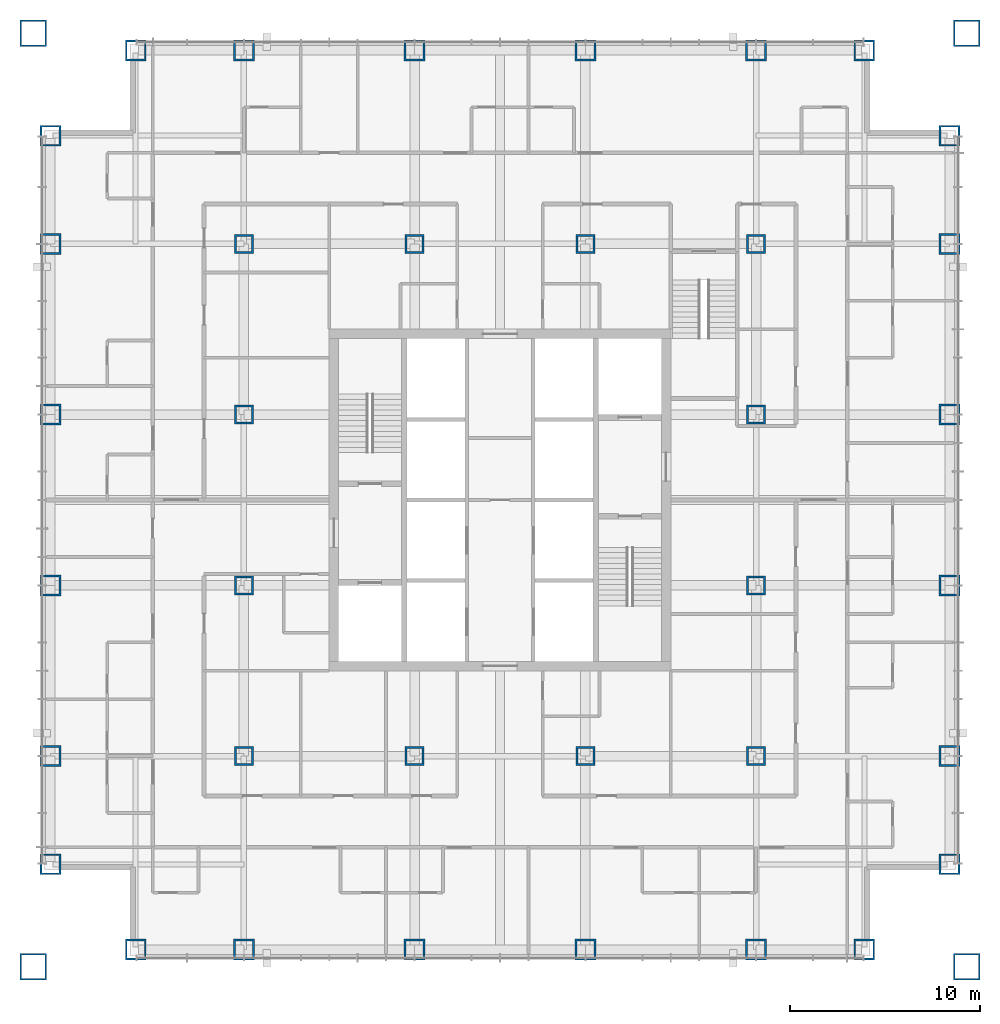
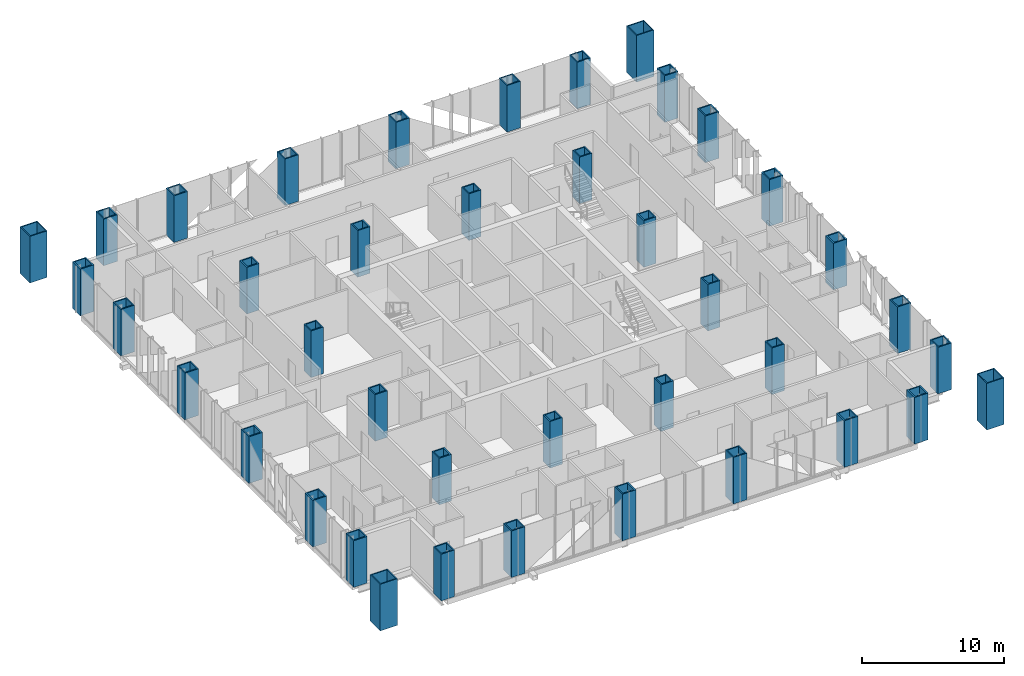
# One storey, part 1 of 14: 40 columns.
"""IFC4 building model written with IfcOpenShell, lengths in metres."""

from ifc_helpers import new_model, si_unit, direction, frame, origin, origin_2d, place, context, subcontext, project, spatial, hollow_rectangle, extrude, material, material_profile, profile_set, type_object, element, save


model = new_model("IFC4")

# Units and contexts
model_context = context("Model", 3, precision=1e-05, world=origin(), true_north=direction((0.0, 1.0)))
body_context = subcontext(model_context, "Body", "Model", "MODEL_VIEW")
ifc_project = project(units=[si_unit("LENGTHUNIT", "METRE"), si_unit("AREAUNIT", "SQUARE_METRE"), si_unit("VOLUMEUNIT", "CUBIC_METRE"), si_unit("PLANEANGLEUNIT", "RADIAN"), si_unit("MASSUNIT", "GRAM", prefix="KILO")], contexts=[model_context])

# Site, building, storey
site_placement = place(None, origin())
site = spatial("IfcSite", under=ifc_project, at=site_placement, CompositionType="ELEMENT")
building_placement = place(site_placement, origin())
building = spatial("IfcBuilding", under=site, at=building_placement, Name="Malebo Sky Hospital", CompositionType="ELEMENT")
storey_placement = place(building_placement, frame((0.0, 0.0, 148.0)))
storey = spatial("IfcBuildingStorey", under=building, at=storey_placement, Name="L35", CompositionType="ELEMENT", Elevation=148.0)

# Columns
ifc_material = material(Name="Steel S460", Category="steel")
ifc_material_profile_1 = material_profile(ifc_material, hollow_rectangle(XDim=1.0, YDim=1.0, WallThickness=0.10009765625, at=origin_2d()), Name="BOX 1000x1000x100")
ifc_profile_set_1 = profile_set([ifc_material_profile_1], Name="Steel S460")
column_type_1 = type_object("IfcColumnType", Name="INNER COLUMN BOX 1000x1000x100", PredefinedType="COLUMN", material=ifc_profile_set_1)
for number, where, z_axis, x_axis, name in (
    (1, (46.5, 48.5, 0.0), (0.0, 0.0, 1.0), (1.0, 0.0, 0.0), "Column IC9 L35"),
    (2, (73.5, 48.5, 0.0), (0.0, 0.0, 1.0), (1.0, 0.0, 0.0), "Column IC9 L35"),
    (3, (73.5, 75.5, 0.0), (0.0, 0.0, 1.0), (1.0, 0.0, 0.0), "Column IC9 L35"),
    (4, (46.5, 75.5, 0.0), (0.0, 0.0, 1.0), (1.0, 0.0, 0.0), "Column IC9 L35"),
    (5, (55.5, 48.5, 0.0), (0.0, 0.0, 1.0), (1.0, 0.0, 0.0), "Column IC9 L35"),
    (6, (64.5, 48.5, 0.0), (0.0, 0.0, 1.0), (1.0, 0.0, 0.0), "Column IC9 L35"),
    (7, (55.5, 75.5, 0.0), (0.0, 0.0, 1.0), (1.0, 0.0, 0.0), "Column IC9 L35"),
    (8, (64.5, 75.5, 0.0), (0.0, 0.0, 1.0), (1.0, 0.0, 0.0), "Column IC9 L35"),
    (9, (46.5, 57.5, 0.0), (0.0, 0.0, 1.0), (1.0, 0.0, 0.0), "Column IC9 L35"),
    (10, (46.5, 66.5, 0.0), (0.0, 0.0, 1.0), (1.0, 0.0, 0.0), "Column IC9 L35"),
    (11, (73.5, 57.5, 0.0), (0.0, 0.0, 1.0), (1.0, 0.0, 0.0), "Column IC9 L35"),
    (12, (73.5, 66.5, 0.0), (0.0, 0.0, 1.0), (1.0, 0.0, 0.0), "Column IC9 L35"),
):
    element("IfcColumn", number, at=place(storey_placement, frame(where, z_axis=z_axis, x_axis=x_axis)), inside=storey, type_object=column_type_1, Name=name, PredefinedType="COLUMN", context=body_context, shape_type="SweptSolid", body=[
        extrude(hollow_rectangle(XDim=1.0, YDim=1.0, WallThickness=0.10009765625, at=origin_2d()), origin(), (0.0, 0.0, 1.0), 4.0),
    ])
ifc_material_profile_2 = material_profile(ifc_material, hollow_rectangle(XDim=1.39990234375, YDim=1.39990234375, WallThickness=0.080078125, at=origin_2d()), Name="BOX 1400x1400x80")
ifc_profile_set_2 = profile_set([ifc_material_profile_2], Name="Steel S460")
column_type_2 = type_object("IfcColumnType", Name="MEGA COLUMN BOX 1400x1400x80", PredefinedType="COLUMN", material=ifc_profile_set_2)
for number, where, z_axis, x_axis, name in (
    (13, (35.39990234375, 37.39990234375, 0.0), (0.0, 0.0, 1.0), (1.0, 0.0, 0.0), "Mega column SW L35"),
    (14, (84.60009765625, 37.39990234375, 0.0), (0.0, 0.0, 1.0), (1.0, 0.0, 0.0), "Mega column SE L35"),
    (15, (84.60009765625, 86.60009765625, 0.0), (0.0, 0.0, 1.0), (1.0, 0.0, 0.0), "Mega column NE L35"),
    (16, (35.39990234375, 86.60009765625, 0.0), (0.0, 0.0, 1.0), (1.0, 0.0, 0.0), "Mega column NW L35"),
):
    element("IfcColumn", number, at=place(storey_placement, frame(where, z_axis=z_axis, x_axis=x_axis)), inside=storey, type_object=column_type_2, Name=name, PredefinedType="COLUMN", context=body_context, shape_type="SweptSolid", body=[
        extrude(hollow_rectangle(XDim=1.39990234375, YDim=1.39990234375, WallThickness=0.080078125, at=origin_2d()), origin(), (0.0, 0.0, 1.0), 4.0),
    ])
ifc_material_profile_3 = material_profile(ifc_material, hollow_rectangle(XDim=1.10009765625, YDim=1.10009765625, WallThickness=0.10009765625, at=origin_2d()), Name="BOX 1100x1100x100")
ifc_profile_set_3 = profile_set([ifc_material_profile_3], Name="Steel S460")
column_type_3 = type_object("IfcColumnType", Name="PERIMETER COLUMN BOX 1100x1100x100", PredefinedType="COLUMN", material=ifc_profile_set_3)
for number, where, z_axis, x_axis, name in (
    (17, (40.800048828125, 38.300048828125, 0.0), (0.0, 0.0, 1.0), (1.0, 0.0, 0.0), "Column PC10 L35"),
    (18, (40.800048828125, 85.699951171875, 0.0), (0.0, 0.0, 1.0), (1.0, 0.0, 0.0), "Column PC10 L35"),
    (19, (36.300048828125, 42.800048828125, 0.0), (0.0, 0.0, 1.0), (1.0, 0.0, 0.0), "Column PC10 L35"),
    (20, (83.699951171875, 42.800048828125, 0.0), (0.0, 0.0, 1.0), (1.0, 0.0, 0.0), "Column PC10 L35"),
    (21, (46.5, 38.300048828125, 0.0), (0.0, 0.0, 1.0), (1.0, 0.0, 0.0), "Column PC10 L35"),
    (22, (46.5, 85.699951171875, 0.0), (0.0, 0.0, 1.0), (1.0, 0.0, 0.0), "Column PC10 L35"),
    (23, (36.300048828125, 48.5, 0.0), (0.0, 0.0, 1.0), (1.0, 0.0, 0.0), "Column PC10 L35"),
    (24, (83.699951171875, 48.5, 0.0), (0.0, 0.0, 1.0), (1.0, 0.0, 0.0), "Column PC10 L35"),
    (25, (55.5, 38.300048828125, 0.0), (0.0, 0.0, 1.0), (1.0, 0.0, 0.0), "Column PC10 L35"),
    (26, (55.5, 85.699951171875, 0.0), (0.0, 0.0, 1.0), (1.0, 0.0, 0.0), "Column PC10 L35"),
    (27, (36.300048828125, 57.5, 0.0), (0.0, 0.0, 1.0), (1.0, 0.0, 0.0), "Column PC10 L35"),
    (28, (83.699951171875, 57.5, 0.0), (0.0, 0.0, 1.0), (1.0, 0.0, 0.0), "Column PC10 L35"),
    (29, (64.5, 38.300048828125, 0.0), (0.0, 0.0, 1.0), (1.0, 0.0, 0.0), "Column PC10 L35"),
    (30, (64.5, 85.699951171875, 0.0), (0.0, 0.0, 1.0), (1.0, 0.0, 0.0), "Column PC10 L35"),
    (31, (36.300048828125, 66.5, 0.0), (0.0, 0.0, 1.0), (1.0, 0.0, 0.0), "Column PC10 L35"),
    (32, (83.699951171875, 66.5, 0.0), (0.0, 0.0, 1.0), (1.0, 0.0, 0.0), "Column PC10 L35"),
    (33, (73.5, 38.300048828125, 0.0), (0.0, 0.0, 1.0), (1.0, 0.0, 0.0), "Column PC10 L35"),
    (34, (73.5, 85.699951171875, 0.0), (0.0, 0.0, 1.0), (1.0, 0.0, 0.0), "Column PC10 L35"),
    (35, (36.300048828125, 75.5, 0.0), (0.0, 0.0, 1.0), (1.0, 0.0, 0.0), "Column PC10 L35"),
    (36, (83.699951171875, 75.5, 0.0), (0.0, 0.0, 1.0), (1.0, 0.0, 0.0), "Column PC10 L35"),
    (37, (79.199951171875, 38.300048828125, 0.0), (0.0, 0.0, 1.0), (1.0, 0.0, 0.0), "Column PC10 L35"),
    (38, (79.199951171875, 85.699951171875, 0.0), (0.0, 0.0, 1.0), (1.0, 0.0, 0.0), "Column PC10 L35"),
    (39, (36.300048828125, 81.199951171875, 0.0), (0.0, 0.0, 1.0), (1.0, 0.0, 0.0), "Column PC10 L35"),
    (40, (83.699951171875, 81.199951171875, 0.0), (0.0, 0.0, 1.0), (1.0, 0.0, 0.0), "Column PC10 L35"),
):
    element("IfcColumn", number, at=place(storey_placement, frame(where, z_axis=z_axis, x_axis=x_axis)), inside=storey, type_object=column_type_3, Name=name, PredefinedType="COLUMN", context=body_context, shape_type="SweptSolid", body=[
        extrude(hollow_rectangle(XDim=1.10009765625, YDim=1.10009765625, WallThickness=0.10009765625, at=origin_2d()), origin(), (0.0, 0.0, 1.0), 4.0),
    ])

save(model, "model.ifc")
